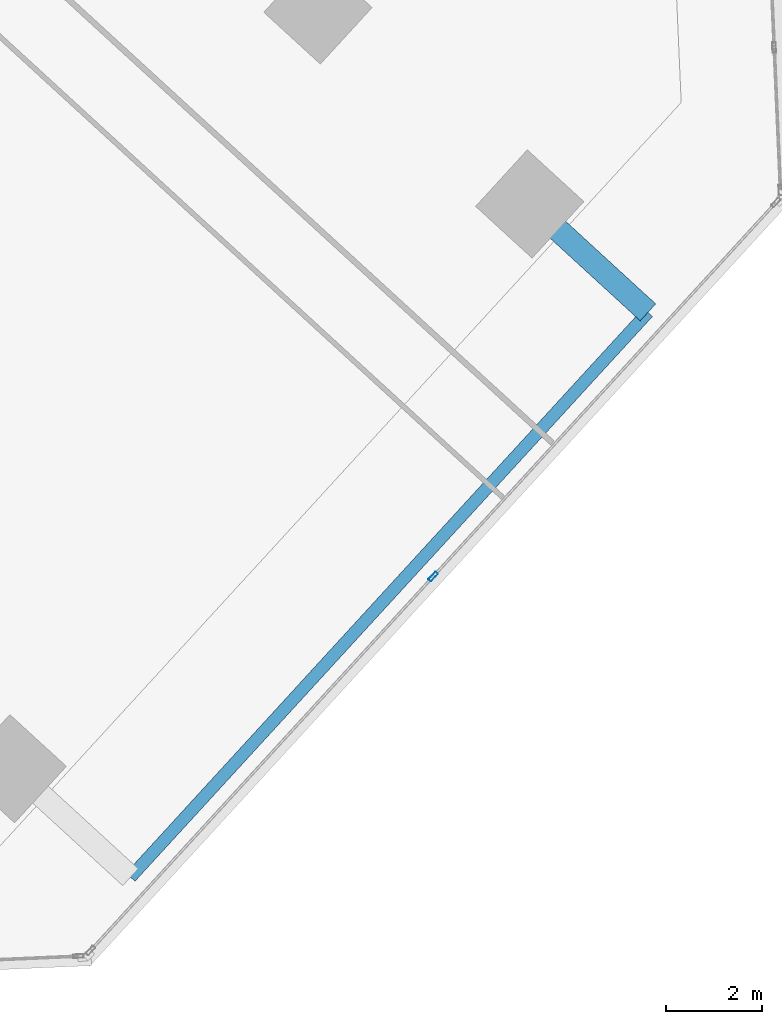
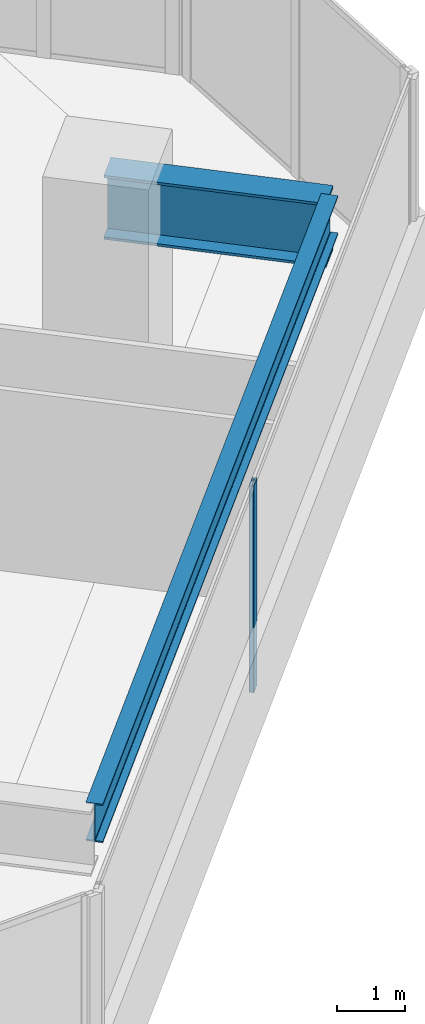
# One storey, part 7 of 19: 2 beams, 1 member, 1 element without a shape of its own.
"""IFC4 building model written with IfcOpenShell, lengths in metres."""

import ifcopenshell
import ifcopenshell.guid

model = None  # the IFC model being written
_history = None  # IfcOwnerHistory: only IFC2X3 demands one
_inside = {}  # id of a spatial element -> (the spatial element, [elements in it])
_under = {}  # id of a project, library or spatial element -> (it, [spatial elements below it])
_declared = {}  # id of a project -> (the project, [libraries it declares])
_typed = {}  # id of a type object -> (the type object, [elements of that type])
_made_of = {}  # id of a material, layer set ... -> (it, [elements and type objects made of it])


def new_model(schema):
    """Start an empty IFC model of exactly this schema.

    Asked for "IFC4X3", IfcOpenShell would pick the latest addendum, in which some entities
    have other attributes; the version numbers below select the first issue.
    IFC2X3 requires an IfcOwnerHistory on every rooted entity: one is made here for all.
    """
    global model, _history
    if schema == "IFC4X3":
        model = ifcopenshell.file(schema_version=(4, 3, 0, 0))
    else:
        model = ifcopenshell.file(schema=schema)
    _inside.clear()
    _under.clear()
    _declared.clear()
    _typed.clear()
    _made_of.clear()
    _history = None
    if model.schema == "IFC2X3":
        org = make("IfcOrganization", Name="unknown")
        user = make(
            "IfcPersonAndOrganization",
            ThePerson=make("IfcPerson", FamilyName="unknown"),
            TheOrganization=org,
        )
        app = make(
            "IfcApplication",
            ApplicationDeveloper=org,
            Version="unknown",
            ApplicationFullName="unknown",
            ApplicationIdentifier="unknown",
        )
        _history = make(
            "IfcOwnerHistory",
            OwningUser=user,
            OwningApplication=app,
            ChangeAction="ADDED",
            CreationDate=0,
        )
    return model


def make(cls, **values):
    """One entity of the class cls with the attributes given. An attribute that is None is left unset."""
    return model.create_entity(
        cls, **{name: value for name, value in values.items() if value is not None}
    )


def rooted(cls, **values):
    """An entity with a GlobalId (a new one), such as an element, a storey or a relation."""
    return make(cls, GlobalId=ifcopenshell.guid.new(), OwnerHistory=_history, **values)


def si_unit(unit_type, name, prefix=None):
    """IfcSIUnit, for example si_unit("LENGTHUNIT", "METRE", prefix="MILLI")."""
    return make("IfcSIUnit", UnitType=unit_type, Prefix=prefix, Name=name)


def assignment(units):
    """IfcUnitAssignment: the units of a project."""
    return None if units is None else make("IfcUnitAssignment", Units=units)


def point(xyz):
    """IfcCartesianPoint."""
    return None if xyz is None else make("IfcCartesianPoint", Coordinates=xyz)


def direction(xyz):
    """IfcDirection."""
    return None if xyz is None else make("IfcDirection", DirectionRatios=xyz)


def frame(location, z_axis=None, x_axis=None):
    """IfcAxis2Placement3D, a coordinate frame: its origin and axes. An axis left out is left unset."""
    return make(
        "IfcAxis2Placement3D",
        Location=point(location),
        Axis=direction(z_axis),
        RefDirection=direction(x_axis),
    )


def frame_2d(location, x_axis=None):
    """IfcAxis2Placement2D, a coordinate frame in the plane: its origin and x axis."""
    return make(
        "IfcAxis2Placement2D", Location=point(location), RefDirection=direction(x_axis)
    )


def origin():
    """The frame at (0, 0, 0) with its axes left unset."""
    return frame((0.0, 0.0, 0.0))


def origin_2d():
    """The frame at (0, 0) in the plane with its x axis left unset."""
    return frame_2d((0.0, 0.0))


def place(relative_to, where):
    """IfcLocalPlacement: puts the frame where relative to a parent placement (None: the world)."""
    return make(
        "IfcLocalPlacement", PlacementRelTo=relative_to, RelativePlacement=where
    )


def context(
    kind, dimensions, precision=None, world=None, true_north=None, identifier=None
):
    """IfcGeometricRepresentationContext, for example the 3D "Model" context."""
    return make(
        "IfcGeometricRepresentationContext",
        ContextIdentifier=identifier,
        ContextType=kind,
        CoordinateSpaceDimension=dimensions,
        Precision=precision,
        WorldCoordinateSystem=world,
        TrueNorth=true_north,
    )


def subcontext(parent, identifier, kind, view, scale=None):
    """IfcGeometricRepresentationSubContext, for example "Body" below "Model"."""
    return make(
        "IfcGeometricRepresentationSubContext",
        ContextIdentifier=identifier,
        ContextType=kind,
        ParentContext=parent,
        TargetScale=scale,
        TargetView=view,
    )


def project(units=None, contexts=None):
    """IfcProject with its units and contexts."""
    return rooted(
        "IfcProject",
        Name="project",
        RepresentationContexts=contexts,
        UnitsInContext=assignment(units),
    )


def spatial(cls, under=None, at=None, **own):
    """A site, building, storey or space (cls), placed at a placement, below another one or the project."""
    s = rooted(cls, ObjectPlacement=at, **own)
    if under is not None:
        _under.setdefault(under.id(), (under, []))[1].append(s)
    return s


def profile(cls, at=None, kind="AREA", **sizes):
    """A parametric profile (cls). Its sizes go by their IFC names, for example OverallWidth=200.0."""
    return make(cls, ProfileType=kind, Position=at, **sizes)


def hollow_rectangle(**sizes):
    """IfcRectangleHollowProfileDef."""
    return profile("IfcRectangleHollowProfileDef", **sizes)


def i_section(**sizes):
    """IfcIShapeProfileDef."""
    return profile("IfcIShapeProfileDef", **sizes)


def extrude(swept, where, along, depth):
    """IfcExtrudedAreaSolid: the profile swept, set in the frame where, extruded along a direction by depth."""
    return make(
        "IfcExtrudedAreaSolid",
        SweptArea=swept,
        Position=where,
        ExtrudedDirection=direction(along),
        Depth=depth,
    )


def shape(context_of_items, identifier, shape_type, items):
    """IfcShapeRepresentation: the items that make up one representation, for example the "Body"."""
    return make(
        "IfcShapeRepresentation",
        ContextOfItems=context_of_items,
        RepresentationIdentifier=identifier,
        RepresentationType=shape_type,
        Items=items,
    )


def source(mapping_origin, context_of_items, identifier, shape_type, items):
    """IfcRepresentationMap: a shape defined once, which mapped items show again and again."""
    return make(
        "IfcRepresentationMap",
        MappingOrigin=mapping_origin,
        MappedRepresentation=shape(context_of_items, identifier, shape_type, items),
    )


def transform(
    local_origin,
    x_axis=None,
    y_axis=None,
    z_axis=None,
    scale=None,
    scale2=None,
    scale3=None,
    uniform=True,
):
    """IfcCartesianTransformationOperator3D, or its non-uniform kind. x_axis, y_axis, z_axis: its Axis1, 2, 3."""
    if uniform:
        return make(
            "IfcCartesianTransformationOperator3D",
            Axis1=direction(x_axis),
            Axis2=direction(y_axis),
            LocalOrigin=point(local_origin),
            Scale=scale,
            Axis3=direction(z_axis),
        )
    return make(
        "IfcCartesianTransformationOperator3DnonUniform",
        Axis1=direction(x_axis),
        Axis2=direction(y_axis),
        LocalOrigin=point(local_origin),
        Scale=scale,
        Axis3=direction(z_axis),
        Scale2=scale2,
        Scale3=scale3,
    )


def mapped(mapping_source, mapping_target):
    """IfcMappedItem: shows the shape of a source again, moved by a transform."""
    return make(
        "IfcMappedItem", MappingSource=mapping_source, MappingTarget=mapping_target
    )


def material(Name=None, Category=None):
    """IfcMaterial."""
    return make("IfcMaterial", Name=Name, Category=Category)


def material_profile(
    of_material, cross_section, Name=None, Category=None, Priority=None
):
    """IfcMaterialProfile: a cross section and its material."""
    return make(
        "IfcMaterialProfile",
        Name=Name,
        Material=of_material,
        Profile=cross_section,
        Priority=Priority,
        Category=Category,
    )


def profile_set(profiles, Name=None, composite=None):
    """IfcMaterialProfileSet."""
    return make(
        "IfcMaterialProfileSet",
        Name=Name,
        MaterialProfiles=profiles,
        CompositeProfile=composite,
    )


def made_of(thing, what):
    """Note that an element or type object is made of a material, layer set ...; save() writes the relation."""
    if what is not None:
        _made_of.setdefault(what.id(), (what, []))[1].append(thing)
    return thing


def type_object(cls, material=None, **own):
    """A type object (cls), such as IfcWallType, which elements share."""
    return made_of(rooted(cls, **own), material)


def element(
    cls,
    number,
    at=None,
    inside=None,
    cuts=None,
    type_object=None,
    material=None,
    context=None,
    identifier="Body",
    shape_type=None,
    held_by="IfcProductDefinitionShape",
    body=None,
    shapes=None,
    **own,
):
    """One element of the class cls, such as IfcWall. Its Tag is "e" and its number.

    at: its placement. inside: the storey or other place that contains it. cuts: it is an
    opening in that element (IfcRelVoidsElement). A single representation is given by context,
    identifier, shape_type and body (its items); several are given by shapes. held_by: the class
    of the entity that holds the representations. save() writes the other relations.
    """
    e = rooted(cls, Tag="e%d" % number, ObjectPlacement=at, **own)
    if body is not None:
        shapes = [shape(context, identifier, shape_type, body)]
    if shapes is not None:
        e.Representation = make(held_by, Representations=shapes)
    if inside is not None:
        _inside.setdefault(inside.id(), (inside, []))[1].append(e)
    if cuts is not None:
        rooted(
            "IfcRelVoidsElement", RelatingBuildingElement=cuts, RelatedOpeningElement=e
        )
    if type_object is not None:
        _typed.setdefault(type_object.id(), (type_object, []))[1].append(e)
    return made_of(e, material)


def aggregate(whole, parts):
    """IfcRelAggregates: a whole, such as a stair, and the parts it consists of."""
    return rooted("IfcRelAggregates", RelatingObject=whole, RelatedObjects=parts)


def save(model, path):
    """Write the relations noted so far, then the file.

    IfcRelAggregates (storeys below a building ...), IfcRelContainedInSpatialStructure (elements
    in a storey), IfcRelDefinesByType, IfcRelAssociatesMaterial and IfcRelDeclares: one each for
    every whole, place, type object, material and project.
    """
    for whole, parts in _under.values():
        aggregate(whole, parts)
    for where, things in _inside.values():
        rooted(
            "IfcRelContainedInSpatialStructure",
            RelatedElements=things,
            RelatingStructure=where,
        )
    for kind, things in _typed.values():
        rooted("IfcRelDefinesByType", RelatedObjects=things, RelatingType=kind)
    for what, things in _made_of.values():
        rooted("IfcRelAssociatesMaterial", RelatedObjects=things, RelatingMaterial=what)
    for by, libraries in _declared.values():
        rooted("IfcRelDeclares", RelatingContext=by, RelatedDefinitions=libraries)
    model.write(path)


model = new_model("IFC4")

# Units and contexts
model_context = context("Model", 3, precision=1e-05, world=origin(), true_north=direction((0.0, 1.0)))
body_context = subcontext(model_context, "Body", "Model", "MODEL_VIEW")
ifc_project = project(units=[si_unit("LENGTHUNIT", "METRE"), si_unit("AREAUNIT", "SQUARE_METRE"), si_unit("VOLUMEUNIT", "CUBIC_METRE"), si_unit("PLANEANGLEUNIT", "RADIAN"), si_unit("MASSUNIT", "GRAM", prefix="KILO")], contexts=[model_context])

# Site, building, storey
site_placement = place(None, origin())
site = spatial("IfcSite", under=ifc_project, at=site_placement, CompositionType="ELEMENT")
building_placement = place(site_placement, origin())
building = spatial("IfcBuilding", under=site, at=building_placement, Name="Torre Montelarca", CompositionType="ELEMENT")
storey_placement = place(building_placement, frame((0.0, 0.0, 229.0)))
storey = spatial("IfcBuildingStorey", under=building, at=storey_placement, Name="L51", CompositionType="ELEMENT", Elevation=229.0)

# Beams
ifc_material_1 = material(Name="Steel ASTM A572 Grade 50", Category="steel")
ifc_material_profile_1 = material_profile(ifc_material_1, i_section(OverallWidth=0.47998046875, OverallDepth=1.14990234375, WebThickness=0.02197265625, FlangeThickness=0.044921875, at=origin_2d()), Name="PG1150X480X22X45", Category="steel")
ifc_profile_set_1 = profile_set([ifc_material_profile_1], Name="Steel ASTM A572 Grade 50")
beam_type_1 = type_object("IfcBeamType", Name="BM-CG-PG1400-EXT", PredefinedType="USERDEFINED", material=ifc_profile_set_1)
shared_shape_1 = source(origin(), body_context, "Body", "SweptSolid", [
    extrude(i_section(OverallWidth=0.47998046875, OverallDepth=1.14990234375, WebThickness=0.02197265625, FlangeThickness=0.044921875, at=origin_2d()), origin(), (0.0, 0.0, 1.0), 3.35009765625),
])
beam_1_placement = place(storey_placement, frame((42.018798828125, 24.048583984375, 3.385009765625), z_axis=(0.737296302726, -0.675569509367, 0.0), x_axis=(0.675569509367, 0.737296302726, 0.0)))
element("IfcBeam", 1, at=beam_1_placement, inside=storey, type_object=beam_type_1, Name="L51 Sliding Tray Cantilever Girder East Y=40m (FLR)", ObjectType="CANTILEVER GIRDER", PredefinedType="USERDEFINED", context=body_context, shape_type="MappedRepresentation", body=[
    mapped(shared_shape_1, transform((0.0, 0.0, 0.0), scale=1.0)),
])
ifc_material_2 = material(Name="Steel ASTM A992 Grade 50", Category="steel")
ifc_material_profile_2 = material_profile(ifc_material_2, i_section(OverallWidth=0.256103515625, OverallDepth=0.693115234375, WebThickness=0.014404296875, FlangeThickness=0.023681640625, FilletRadius=0.01806640625, at=origin_2d()), Name="W690X170", Category="steel")
ifc_profile_set_2 = profile_set([ifc_material_profile_2], Name="Steel ASTM A992 Grade 50")
beam_type_2 = type_object("IfcBeamType", Name="BM-G-W690-EXT", PredefinedType="BEAM", material=ifc_profile_set_2)
shared_shape_2 = source(origin(), body_context, "Body", "SweptSolid", [
    extrude(i_section(OverallWidth=0.256103515625, OverallDepth=0.693115234375, WebThickness=0.014404296875, FlangeThickness=0.023681640625, FilletRadius=0.01806640625, at=origin_2d()), origin(), (0.0, 0.0, 1.0), 16.0),
])
beam_2_placement = place(storey_placement, frame((33.67919921875, 9.989013671875, 3.614013671875), z_axis=(0.675596099327, 0.737271938008, 0.0), x_axis=(-0.737271938008, 0.675596099327, 0.0)))
element("IfcBeam", 2, at=beam_2_placement, inside=storey, type_object=beam_type_2, Name="L51 Sliding Tray Edge Girder East 24-40m (FLR)", PredefinedType="BEAM", context=body_context, shape_type="MappedRepresentation", body=[
    mapped(shared_shape_2, transform((0.0, 0.0, 0.0), scale=1.0)),
])

# Curtain wall, member
ifc_material_3 = material(Name="Insulated low-E laminated glass", Category="glass")
curtain_wall_type = type_object("IfcCurtainWallType", Name="CW-SYS-Z3", PredefinedType="USERDEFINED", material=ifc_material_3)
curtain_wall_placement = place(storey_placement, origin())
curtain_wall = element("IfcCurtainWall", 3, at=curtain_wall_placement, inside=storey, type_object=curtain_wall_type, Name="L51 Curtain Wall Run CW-T3-L51-E06-B1", ObjectType="UNITISED GLAZING", PredefinedType="USERDEFINED")
ifc_material_4 = material(Name="Anodised aluminium AA 6063-T6", Category="aluminium")
ifc_material_profile_3 = material_profile(ifc_material_4, hollow_rectangle(XDim=0.074951171875, YDim=0.219970703125, WallThickness=0.0048828125, InnerFilletRadius=0.0048828125, OuterFilletRadius=0.010009765625, at=origin_2d()), Name="ALU75X220X5", Category="aluminium")
ifc_profile_set_3 = profile_set([ifc_material_profile_3], Name="Anodised aluminium AA 6063-T6")
member_type = type_object("IfcMemberType", Name="CWM-ALU220", PredefinedType="MULLION", material=ifc_profile_set_3)
shared_shape_3 = source(origin(), body_context, "Body", "SweptSolid", [
    extrude(hollow_rectangle(XDim=0.074951171875, YDim=0.219970703125, WallThickness=0.0048828125, InnerFilletRadius=0.0048828125, OuterFilletRadius=0.010009765625, at=origin_2d()), origin(), (0.0, 0.0, 1.0), 3.719970703125),
])
member_placement = place(storey_placement, frame((40.001708984375, 16.266845703125, 0.0), z_axis=(0.0, 0.0, 1.0), x_axis=(-0.737277670314, 0.675589843659, 0.0)))
member = element("IfcMember", 4, at=member_placement, type_object=member_type, Name="CW mullion 2", PredefinedType="MULLION", context=body_context, shape_type="MappedRepresentation", body=[
    mapped(shared_shape_3, transform((0.0, 0.0, 0.0), scale=1.0)),
])
aggregate(curtain_wall, [member])

save(model, "model.ifc")
